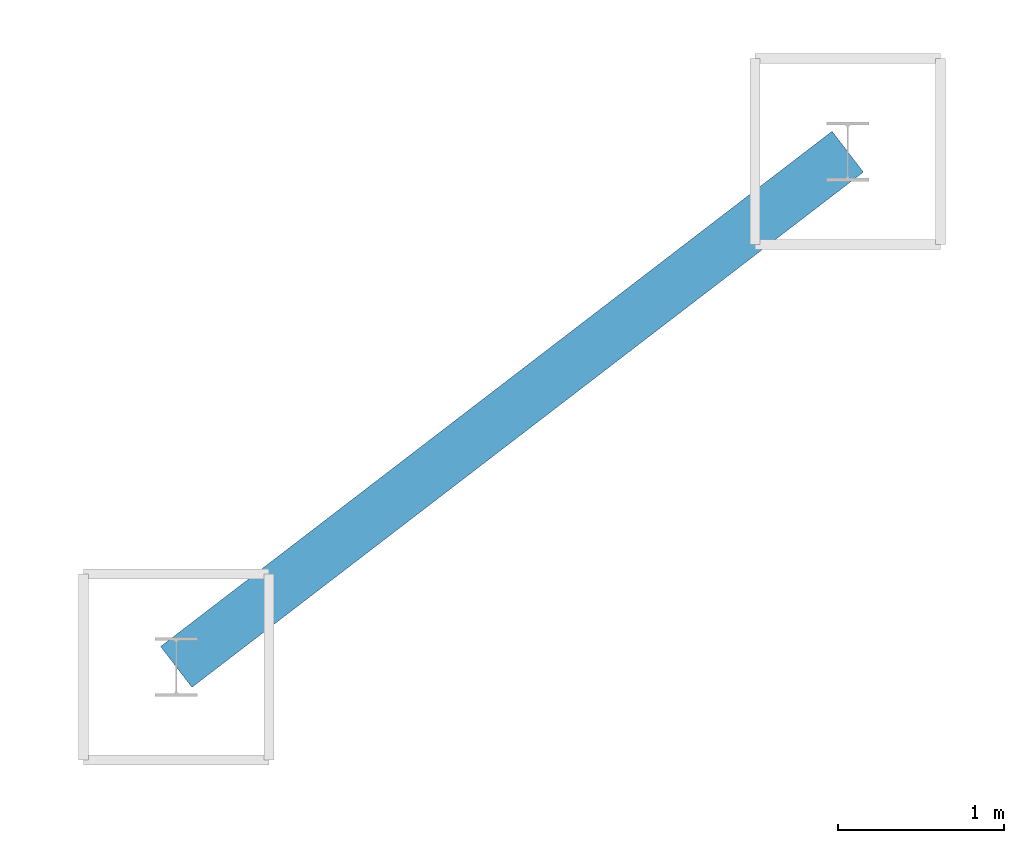
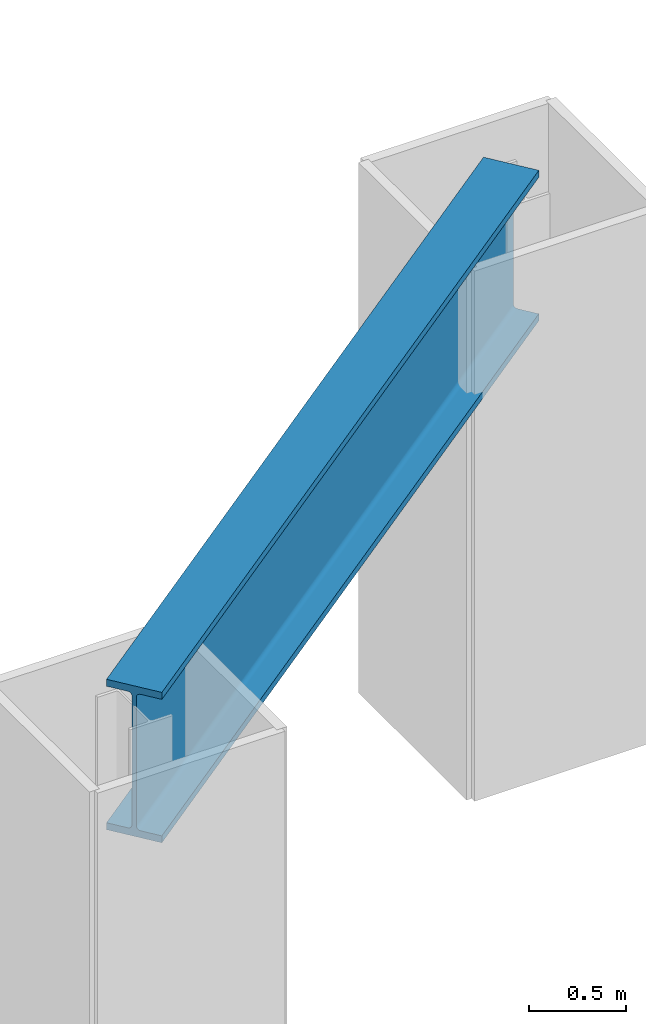
# One storey, part 63 of 128: 1 beam.
"""IFC4 building model written with IfcOpenShell, lengths in metres."""

from ifc_helpers import new_model, si_unit, direction, frame, origin, origin_2d, place, context, subcontext, project, spatial, i_section, extrude, material, material_profile, profile_set, type_object, element, save


model = new_model("IFC4")

# Units and contexts
model_context = context("Model", 3, precision=1e-05, world=origin(), true_north=direction((0.0, 1.0)))
body_context = subcontext(model_context, "Body", "Model", "MODEL_VIEW")
ifc_project = project(units=[si_unit("LENGTHUNIT", "METRE"), si_unit("AREAUNIT", "SQUARE_METRE"), si_unit("VOLUMEUNIT", "CUBIC_METRE"), si_unit("PLANEANGLEUNIT", "RADIAN"), si_unit("MASSUNIT", "GRAM", prefix="KILO")], contexts=[model_context])

# Site, building, storey
site_placement = place(None, origin())
site = spatial("IfcSite", under=ifc_project, at=site_placement, CompositionType="ELEMENT")
building_placement = place(site_placement, origin())
building = spatial("IfcBuilding", under=site, at=building_placement, Name="Vespera Passage Community Centre", CompositionType="ELEMENT")
storey_placement = place(building_placement, frame((0.0, 0.0, 4.5)))
storey = spatial("IfcBuildingStorey", under=building, at=storey_placement, Name="L01", CompositionType="ELEMENT", Elevation=4.5)

# Beam
ifc_material = material(Name="Steel ASTM A992 Grade 50", Category="steel")
ifc_material_profile = material_profile(ifc_material, i_section(OverallWidth=0.310302734375, OverallDepth=0.950439453125, WebThickness=0.0244140625, FlangeThickness=0.0439453125, FilletRadius=0.024169921875, at=origin_2d()), Name="W36X256")
ifc_profile_set = profile_set([ifc_material_profile], Name="Steel ASTM A992 Grade 50")
beam_type = type_object("IfcBeamType", Name="TG-256", PredefinedType="USERDEFINED", material=ifc_profile_set)
beam_placement = place(storey_placement, frame((113.423095703125, 92.68115234375, 3.0), z_axis=(-0.79333352213, -0.608787255668, 0.0), x_axis=(0.608787255668, -0.79333352213, 0.0)))
element("IfcBeam", 1, at=beam_placement, inside=storey, type_object=beam_type, Name="Pylon Truss Anchor Cap Girder 2", ObjectType="TRANSFER GIRDER", PredefinedType="USERDEFINED", context=body_context, shape_type="SweptSolid", body=[
    extrude(i_section(OverallWidth=0.310302734375, OverallDepth=0.950439453125, WebThickness=0.0244140625, FlangeThickness=0.0439453125, FilletRadius=0.024169921875, at=origin_2d()), origin(), (0.0, 0.0, 1.0), 5.099853515625),
])

save(model, "model.ifc")
